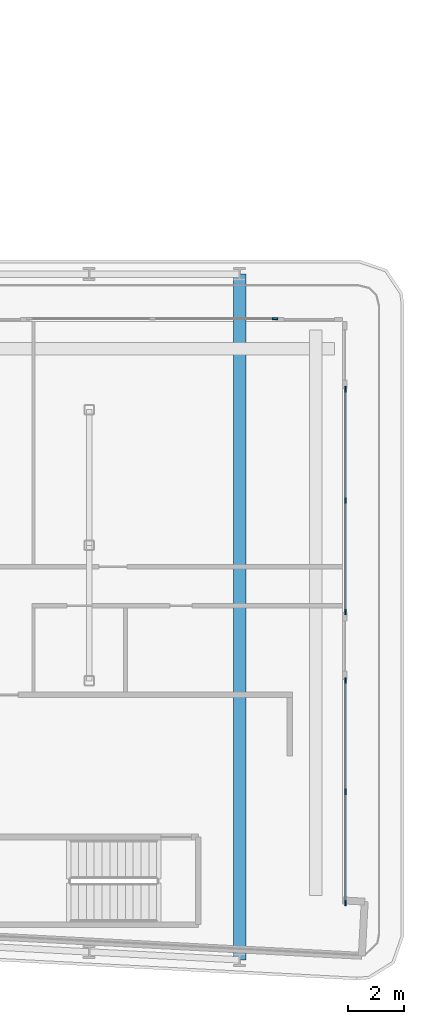
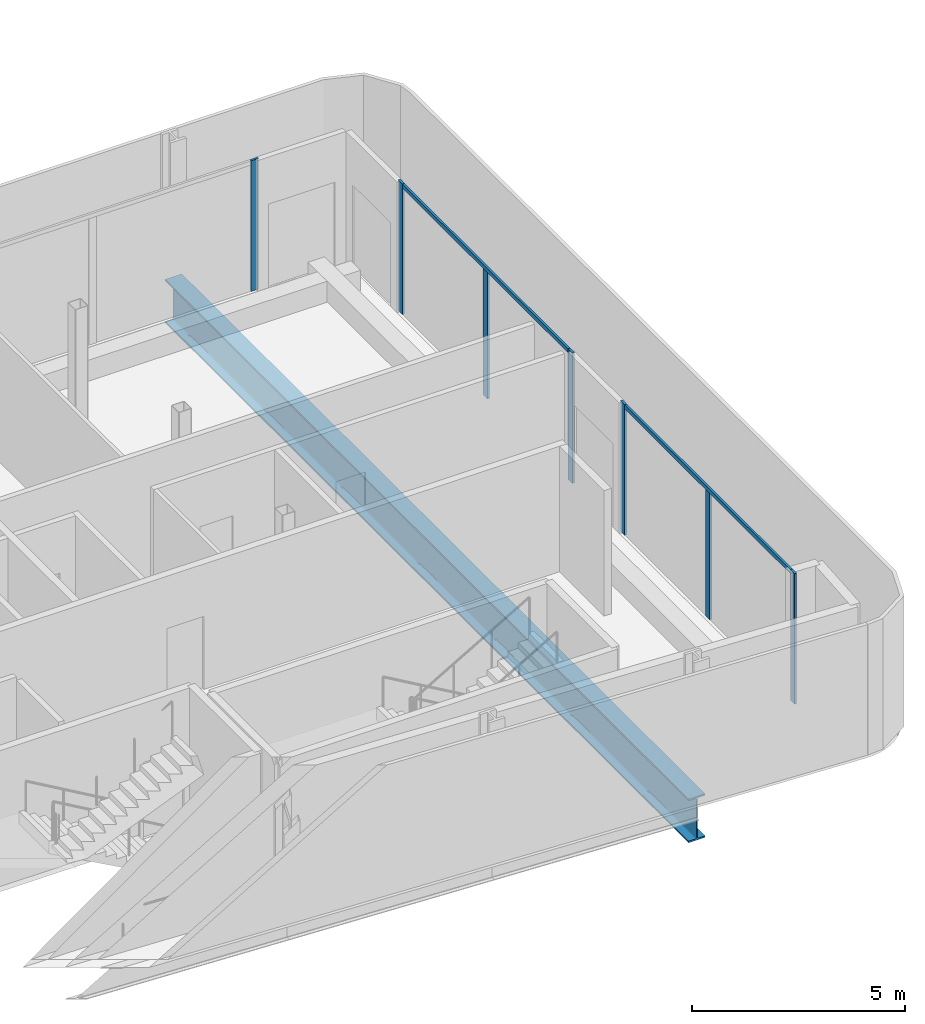
# One storey, part 8 of 28: 9 members, 1 beam, 3 elements without a shape of their own.
"""IFC4 building model written with IfcOpenShell, lengths in metres."""

from ifc_helpers import new_model, si_unit, direction, frame, origin, origin_2d, place, context, subcontext, project, spatial, rectangle, i_section, extrude, material, layer, layer_set, material_profile, profile_set, type_object, element, aggregate, save


model = new_model("IFC4")

# Units and contexts
model_context = context("Model", 3, precision=1e-05, world=origin(), true_north=direction((0.0, 1.0)))
body_context = subcontext(model_context, "Body", "Model", "MODEL_VIEW")
ifc_project = project(units=[si_unit("LENGTHUNIT", "METRE"), si_unit("AREAUNIT", "SQUARE_METRE"), si_unit("VOLUMEUNIT", "CUBIC_METRE"), si_unit("PLANEANGLEUNIT", "RADIAN"), si_unit("MASSUNIT", "GRAM", prefix="KILO")], contexts=[model_context])

# Site, building, storey
site_placement = place(None, origin())
site = spatial("IfcSite", under=ifc_project, at=site_placement, CompositionType="ELEMENT")
building_placement = place(site_placement, origin())
building = spatial("IfcBuilding", under=site, at=building_placement, Name="Kheshtan School and Residences Tower", CompositionType="ELEMENT")
storey_placement = place(building_placement, frame((0.0, 0.0, 42.199951171875)))
storey = spatial("IfcBuildingStorey", under=building, at=storey_placement, Name="L09", CompositionType="ELEMENT", Elevation=42.199951171875)

# Curtain wall, member
ifc_material_1 = material(Name="Clear low-e glass in thermally broken aluminium frame", Category="aluminium")
ifc_layer = layer(ifc_material_1, 0.199951171875)
ifc_layer_set = layer_set([ifc_layer], Name="Curtain wall CW-L")
curtain_wall_type = type_object("IfcCurtainWallType", Name="Curtain wall CW-L", PredefinedType="NOTDEFINED", material=ifc_layer_set)
curtain_wall_1_placement = place(storey_placement, origin())
curtain_wall_1 = element("IfcCurtainWall", 1, at=curtain_wall_1_placement, inside=storey, type_object=curtain_wall_type, Name="Curtain wall CWL12i", PredefinedType="NOTDEFINED")
ifc_material_2 = material(Name="Thermally broken aluminium, dark bronze anodised", Category="aluminium")
ifc_material_profile_1 = material_profile(ifc_material_2, rectangle(XDim=0.06005859375, YDim=0.199951171875, at=origin_2d()), Name="CW-L mullion 60x200")
ifc_profile_set_1 = profile_set([ifc_material_profile_1], Name="Thermally broken aluminium, dark bronze anodised")
member_type_1 = type_object("IfcMemberType", Name="CW-L mullion 60x200", PredefinedType="MULLION", material=ifc_profile_set_1)
member_1_placement = place(storey_placement, frame((92.070068359375, 44.0, 0.0), z_axis=(0.0, 0.0, 1.0), x_axis=(0.0, 1.0, 0.0)))
member_1 = element("IfcMember", 2, at=member_1_placement, type_object=member_type_1, Name="CWL12i mullion 3", PredefinedType="MULLION", context=body_context, shape_type="SweptSolid", body=[
    extrude(rectangle(XDim=0.06005859375, YDim=0.199951171875, at=origin_2d()), origin(), (0.0, 0.0, 1.0), 3.75),
])
aggregate(curtain_wall_1, [member_1])

# Curtain wall, members
curtain_wall_2_placement = place(storey_placement, origin())
curtain_wall_2 = element("IfcCurtainWall", 3, at=curtain_wall_2_placement, inside=storey, type_object=curtain_wall_type, Name="Curtain wall CWL13a", PredefinedType="NOTDEFINED")
member_2_placement = place(storey_placement, frame((94.60009765625, 41.469970703125, 0.0), z_axis=(0.0, 0.0, 1.0), x_axis=(1.0, 0.0, 0.0)))
member_2 = element("IfcMember", 4, at=member_2_placement, type_object=member_type_1, Name="CWL13a mullion 1", PredefinedType="MULLION", context=body_context, shape_type="SweptSolid", body=[
    extrude(rectangle(XDim=0.06005859375, YDim=0.199951171875, at=origin_2d()), origin(), (0.0, 0.0, 1.0), 3.75),
])
member_3_placement = place(storey_placement, frame((94.60009765625, 37.474609375, 0.0), z_axis=(0.0, 0.0, 1.0), x_axis=(1.0, 0.0, 0.0)))
member_3 = element("IfcMember", 5, at=member_3_placement, type_object=member_type_1, Name="CWL13a mullion 2", PredefinedType="MULLION", context=body_context, shape_type="SweptSolid", body=[
    extrude(rectangle(XDim=0.06005859375, YDim=0.199951171875, at=origin_2d()), origin(), (0.0, 0.0, 1.0), 3.630126953125),
])
member_4_placement = place(storey_placement, frame((94.60009765625, 33.47900390625, 0.0), z_axis=(0.0, 0.0, 1.0), x_axis=(1.0, 0.0, 0.0)))
member_4 = element("IfcMember", 6, at=member_4_placement, type_object=member_type_1, Name="CWL13a mullion 3", PredefinedType="MULLION", context=body_context, shape_type="SweptSolid", body=[
    extrude(rectangle(XDim=0.06005859375, YDim=0.199951171875, at=origin_2d()), origin(), (0.0, 0.0, 1.0), 3.75),
])

curtain_wall_3_placement = place(storey_placement, origin())
curtain_wall_3 = element("IfcCurtainWall", 7, at=curtain_wall_3_placement, inside=storey, type_object=curtain_wall_type, Name="Curtain wall CWL13a", PredefinedType="NOTDEFINED")
member_5_placement = place(storey_placement, frame((94.60009765625, 31.01904296875, 0.0), z_axis=(0.0, 0.0, 1.0), x_axis=(1.0, 0.0, 0.0)))
member_5 = element("IfcMember", 8, at=member_5_placement, type_object=member_type_1, Name="CWL13a mullion 1", PredefinedType="MULLION", context=body_context, shape_type="SweptSolid", body=[
    extrude(rectangle(XDim=0.06005859375, YDim=0.199951171875, at=origin_2d()), origin(), (0.0, 0.0, 1.0), 3.75),
])
member_6_placement = place(storey_placement, frame((94.60009765625, 27.0234375, 0.0), z_axis=(0.0, 0.0, 1.0), x_axis=(1.0, 0.0, 0.0)))
member_6 = element("IfcMember", 9, at=member_6_placement, type_object=member_type_1, Name="CWL13a mullion 2", PredefinedType="MULLION", context=body_context, shape_type="SweptSolid", body=[
    extrude(rectangle(XDim=0.06005859375, YDim=0.199951171875, at=origin_2d()), origin(), (0.0, 0.0, 1.0), 3.630126953125),
])
member_7_placement = place(storey_placement, frame((94.60009765625, 23.028076171875, 0.0), z_axis=(0.0, 0.0, 1.0), x_axis=(1.0, 0.0, 0.0)))
member_7 = element("IfcMember", 10, at=member_7_placement, type_object=member_type_1, Name="CWL13a mullion 3", PredefinedType="MULLION", context=body_context, shape_type="SweptSolid", body=[
    extrude(rectangle(XDim=0.06005859375, YDim=0.199951171875, at=origin_2d()), origin(), (0.0, 0.0, 1.0), 3.75),
])

# Member
ifc_material_profile_2 = material_profile(ifc_material_2, rectangle(XDim=0.06005859375, YDim=0.1201171875, at=origin_2d()), Name="CW-L transom 60x120")
ifc_profile_set_2 = profile_set([ifc_material_profile_2], Name="Thermally broken aluminium, dark bronze anodised")
member_type_2 = type_object("IfcMemberType", Name="CW-L transom 60x120", PredefinedType="USERDEFINED", material=ifc_profile_set_2)
member_8_placement = place(storey_placement, frame((94.60009765625, 41.43994140625, 3.68994140625), z_axis=(0.0, -1.0, 0.0), x_axis=(1.0, 0.0, 0.0)))
member_8 = element("IfcMember", 11, at=member_8_placement, type_object=member_type_2, Name="CWL13a transom 1", ObjectType="TRANSOM", PredefinedType="USERDEFINED", context=body_context, shape_type="SweptSolid", body=[
    extrude(rectangle(XDim=0.06005859375, YDim=0.1201171875, at=origin_2d()), origin(), (0.0, 0.0, 1.0), 7.930908203125),
])

aggregate(curtain_wall_2, [member_2, member_3, member_4, member_8])

member_9_placement = place(storey_placement, frame((94.60009765625, 30.989013671875, 3.68994140625), z_axis=(0.0, -1.0, 0.0), x_axis=(1.0, 0.0, 0.0)))
member_9 = element("IfcMember", 12, at=member_9_placement, type_object=member_type_2, Name="CWL13a transom 1", ObjectType="TRANSOM", PredefinedType="USERDEFINED", context=body_context, shape_type="SweptSolid", body=[
    extrude(rectangle(XDim=0.06005859375, YDim=0.1201171875, at=origin_2d()), origin(), (0.0, 0.0, 1.0), 7.930908203125),
])

aggregate(curtain_wall_3, [member_5, member_6, member_7, member_9])

# Beam
ifc_material_3 = material(Name="Steel ASTM A992 Grade 50", Category="steel")
ifc_material_profile_3 = material_profile(ifc_material_3, i_section(OverallWidth=0.449951171875, OverallDepth=1.25, WebThickness=0.02490234375, FlangeThickness=0.044921875, FilletRadius=0.03759765625, at=origin_2d()), Name="WWF1250x546")
ifc_profile_set_3 = profile_set([ifc_material_profile_3], Name="Steel ASTM A992 Grade 50")
beam_type = type_object("IfcBeamType", Name="Transfer girder TG4 WWF1250x546 ASTM A992 Grade 50", PredefinedType="BEAM", material=ifc_profile_set_3)
beam_placement = place(storey_placement, frame((90.800048828125, 45.60009765625, -0.77490234375), z_axis=(0.0, -1.0, 0.0), x_axis=(1.0, 0.0, 0.0)))
element("IfcBeam", 13, at=beam_placement, inside=storey, type_object=beam_type, Name="Transfer girder C068-C006", PredefinedType="BEAM", context=body_context, shape_type="SweptSolid", body=[
    extrude(i_section(OverallWidth=0.449951171875, OverallDepth=1.25, WebThickness=0.02490234375, FlangeThickness=0.044921875, FilletRadius=0.03759765625, at=origin_2d()), origin(), (0.0, 0.0, 1.0), 24.610107421875),
])

save(model, "model.ifc")
